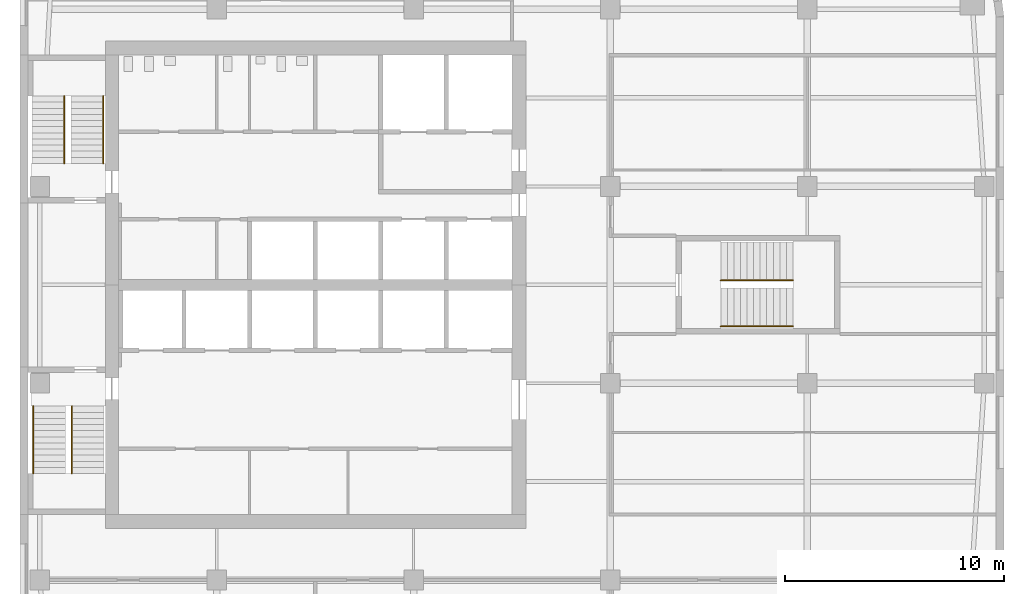
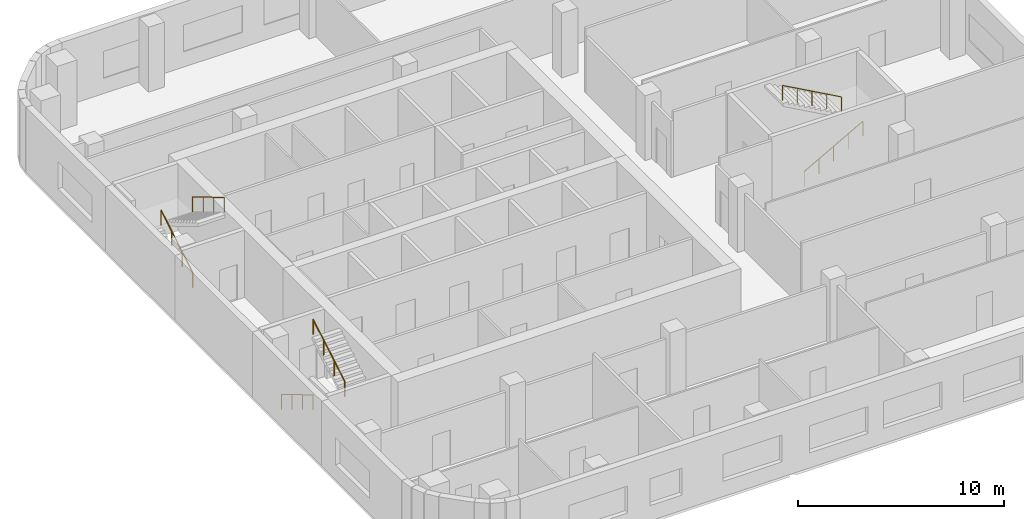
# One storey, part 7 of 8: 6 railings, 3 elements without a shape of their own.
"""IFC4 building model written with IfcOpenShell, lengths in metres."""

from ifc_helpers import new_model, si_unit, direction, frame, origin, origin_2d, place, context, subcontext, project, spatial, circle, extrude, material, type_object, element, aggregate, save


model = new_model("IFC4")

# Units and contexts
model_context = context("Model", 3, precision=1e-05, world=origin(), true_north=direction((0.0, 1.0)))
body_context = subcontext(model_context, "Body", "Model", "MODEL_VIEW")
ifc_project = project(units=[si_unit("LENGTHUNIT", "METRE"), si_unit("AREAUNIT", "SQUARE_METRE"), si_unit("VOLUMEUNIT", "CUBIC_METRE"), si_unit("PLANEANGLEUNIT", "RADIAN"), si_unit("MASSUNIT", "GRAM", prefix="KILO")], contexts=[model_context])

# Site, building, storey
site_placement = place(None, origin())
site = spatial("IfcSite", under=ifc_project, at=site_placement, CompositionType="ELEMENT")
building_placement = place(site_placement, origin())
building = spatial("IfcBuilding", under=site, at=building_placement, Name="Cinnabar Reach Civic Tower", CompositionType="ELEMENT")
storey_placement = place(building_placement, frame((0.0, 0.0, 181.0)))
storey = spatial("IfcBuildingStorey", under=building, at=storey_placement, Name="L43", CompositionType="ELEMENT", Elevation=181.0)

# Stair, railings
ifc_material_1 = material(Name="Concrete C40/50", Category="concrete")
stair_type = type_object("IfcStairType", Name="T1 Exit stair, half-turn", PredefinedType="HALF_TURN_STAIR", material=ifc_material_1)
stair_1_placement = place(storey_placement, origin())
stair_1 = element("IfcStair", 1, at=stair_1_placement, inside=storey, type_object=stair_type, Name="Stair T1-S1", PredefinedType="HALF_TURN_STAIR")
ifc_material_2 = material(Name="Stainless steel tube", Category="steel")
railing_type = type_object("IfcRailingType", Name="T1 Stair handrail, stainless tube 48", PredefinedType="HANDRAIL", material=ifc_material_2)
railing_1_placement = place(storey_placement, frame((0.6, 25.95, 0.1667)))
railing_1 = element("IfcRailing", 2, at=railing_1_placement, type_object=railing_type, Name="T1-S1 handrail 1", PredefinedType="HANDRAIL", context=body_context, shape_type="SweptSolid", body=[
    extrude(circle(Radius=0.024, at=origin_2d()), frame((0.0, 0.0, 0.876), z_axis=(0.0, -0.859296971757, 0.511476992962), x_axis=(1.0, 0.0, 0.0)), (0.0, 0.0, 1.0), 3.5843),
    extrude(circle(Radius=0.021, at=origin_2d()), origin(), (0.0, 0.0, 1.0), 0.852),
    extrude(circle(Radius=0.021, at=origin_2d()), frame((0.0, -1.0267, 0.6111)), (0.0, 0.0, 1.0), 0.852),
    extrude(circle(Radius=0.021, at=origin_2d()), frame((0.0, -2.0533, 1.2222)), (0.0, 0.0, 1.0), 0.852),
    extrude(circle(Radius=0.021, at=origin_2d()), frame((0.0, -3.08, 1.8333)), (0.0, 0.0, 1.0), 0.852),
])
railing_2_placement = place(storey_placement, frame((2.375, 22.87, 2.1667)))
railing_2 = element("IfcRailing", 3, at=railing_2_placement, type_object=railing_type, Name="T1-S1 handrail 2", PredefinedType="HANDRAIL", context=body_context, shape_type="SweptSolid", body=[
    extrude(circle(Radius=0.024, at=origin_2d()), frame((0.0, 0.0, 0.876), z_axis=(0.0, 0.859296971757, 0.511476992962), x_axis=(-1.0, 0.0, 0.0)), (0.0, 0.0, 1.0), 3.5843),
    extrude(circle(Radius=0.021, at=origin_2d()), origin(), (0.0, 0.0, 1.0), 0.852),
    extrude(circle(Radius=0.021, at=origin_2d()), frame((0.0, 1.0267, 0.6111)), (0.0, 0.0, 1.0), 0.852),
    extrude(circle(Radius=0.021, at=origin_2d()), frame((0.0, 2.0533, 1.2222)), (0.0, 0.0, 1.0), 0.852),
    extrude(circle(Radius=0.021, at=origin_2d()), frame((0.0, 3.08, 1.8333)), (0.0, 0.0, 1.0), 0.852),
])
aggregate(stair_1, [railing_1, railing_2])

stair_2_placement = place(storey_placement, origin())
stair_2 = element("IfcStair", 4, at=stair_2_placement, inside=storey, type_object=stair_type, Name="Stair T1-S2", PredefinedType="HALF_TURN_STAIR")
railing_3_placement = place(storey_placement, frame((2.025, 37.05, 0.1667)))
railing_3 = element("IfcRailing", 5, at=railing_3_placement, type_object=railing_type, Name="T1-S2 handrail 1", PredefinedType="HANDRAIL", context=body_context, shape_type="SweptSolid", body=[
    extrude(circle(Radius=0.024, at=origin_2d()), frame((0.0, 0.0, 0.876), z_axis=(0.0, 0.859296971757, 0.511476992962), x_axis=(-1.0, 0.0, 0.0)), (0.0, 0.0, 1.0), 3.5843),
    extrude(circle(Radius=0.021, at=origin_2d()), origin(), (0.0, 0.0, 1.0), 0.852),
    extrude(circle(Radius=0.021, at=origin_2d()), frame((0.0, 1.0267, 0.6111)), (0.0, 0.0, 1.0), 0.852),
    extrude(circle(Radius=0.021, at=origin_2d()), frame((0.0, 2.0533, 1.2222)), (0.0, 0.0, 1.0), 0.852),
    extrude(circle(Radius=0.021, at=origin_2d()), frame((0.0, 3.08, 1.8333)), (0.0, 0.0, 1.0), 0.852),
])
railing_4_placement = place(storey_placement, frame((3.8, 40.13, 2.1667)))
railing_4 = element("IfcRailing", 6, at=railing_4_placement, type_object=railing_type, Name="T1-S2 handrail 2", PredefinedType="HANDRAIL", context=body_context, shape_type="SweptSolid", body=[
    extrude(circle(Radius=0.024, at=origin_2d()), frame((0.0, 0.0, 0.876), z_axis=(0.0, -0.859296971757, 0.511476992962), x_axis=(1.0, 0.0, 0.0)), (0.0, 0.0, 1.0), 3.5843),
    extrude(circle(Radius=0.021, at=origin_2d()), origin(), (0.0, 0.0, 1.0), 0.852),
    extrude(circle(Radius=0.021, at=origin_2d()), frame((0.0, -1.0267, 0.6111)), (0.0, 0.0, 1.0), 0.852),
    extrude(circle(Radius=0.021, at=origin_2d()), frame((0.0, -2.0533, 1.2222)), (0.0, 0.0, 1.0), 0.852),
    extrude(circle(Radius=0.021, at=origin_2d()), frame((0.0, -3.08, 1.8333)), (0.0, 0.0, 1.0), 0.852),
])
aggregate(stair_2, [railing_3, railing_4])

stair_3_placement = place(storey_placement, origin())
stair_3 = element("IfcStair", 7, at=stair_3_placement, inside=storey, type_object=stair_type, Name="Stair T1-S3", PredefinedType="HALF_TURN_STAIR")
railing_5_placement = place(storey_placement, frame((32.05, 29.6, 0.1667)))
railing_5 = element("IfcRailing", 8, at=railing_5_placement, type_object=railing_type, Name="T1-S3 handrail 1", PredefinedType="HANDRAIL", context=body_context, shape_type="SweptSolid", body=[
    extrude(circle(Radius=0.024, at=origin_2d()), frame((0.0, 0.0, 0.876), z_axis=(0.874161024642, 0.0, 0.485636183781), x_axis=(0.0, 1.0, 0.0)), (0.0, 0.0, 1.0), 3.775),
    extrude(circle(Radius=0.021, at=origin_2d()), origin(), (0.0, 0.0, 1.0), 0.852),
    extrude(circle(Radius=0.021, at=origin_2d()), frame((0.825, 0.0, 0.4583)), (0.0, 0.0, 1.0), 0.852),
    extrude(circle(Radius=0.021, at=origin_2d()), frame((1.65, 0.0, 0.9167)), (0.0, 0.0, 1.0), 0.852),
    extrude(circle(Radius=0.021, at=origin_2d()), frame((2.475, 0.0, 1.375)), (0.0, 0.0, 1.0), 0.852),
    extrude(circle(Radius=0.021, at=origin_2d()), frame((3.3, 0.0, 1.8333)), (0.0, 0.0, 1.0), 0.852),
])
railing_6_placement = place(storey_placement, frame((35.35, 31.7, 2.1667)))
railing_6 = element("IfcRailing", 9, at=railing_6_placement, type_object=railing_type, Name="T1-S3 handrail 2", PredefinedType="HANDRAIL", context=body_context, shape_type="SweptSolid", body=[
    extrude(circle(Radius=0.024, at=origin_2d()), frame((0.0, 0.0, 0.876), z_axis=(-0.874161024642, 0.0, 0.485636183781), x_axis=(0.0, -1.0, 0.0)), (0.0, 0.0, 1.0), 3.775),
    extrude(circle(Radius=0.021, at=origin_2d()), origin(), (0.0, 0.0, 1.0), 0.852),
    extrude(circle(Radius=0.021, at=origin_2d()), frame((-0.825, 0.0, 0.4583)), (0.0, 0.0, 1.0), 0.852),
    extrude(circle(Radius=0.021, at=origin_2d()), frame((-1.65, 0.0, 0.9167)), (0.0, 0.0, 1.0), 0.852),
    extrude(circle(Radius=0.021, at=origin_2d()), frame((-2.475, 0.0, 1.375)), (0.0, 0.0, 1.0), 0.852),
    extrude(circle(Radius=0.021, at=origin_2d()), frame((-3.3, 0.0, 1.8333)), (0.0, 0.0, 1.0), 0.852),
])
aggregate(stair_3, [railing_5, railing_6])

save(model, "model.ifc")
